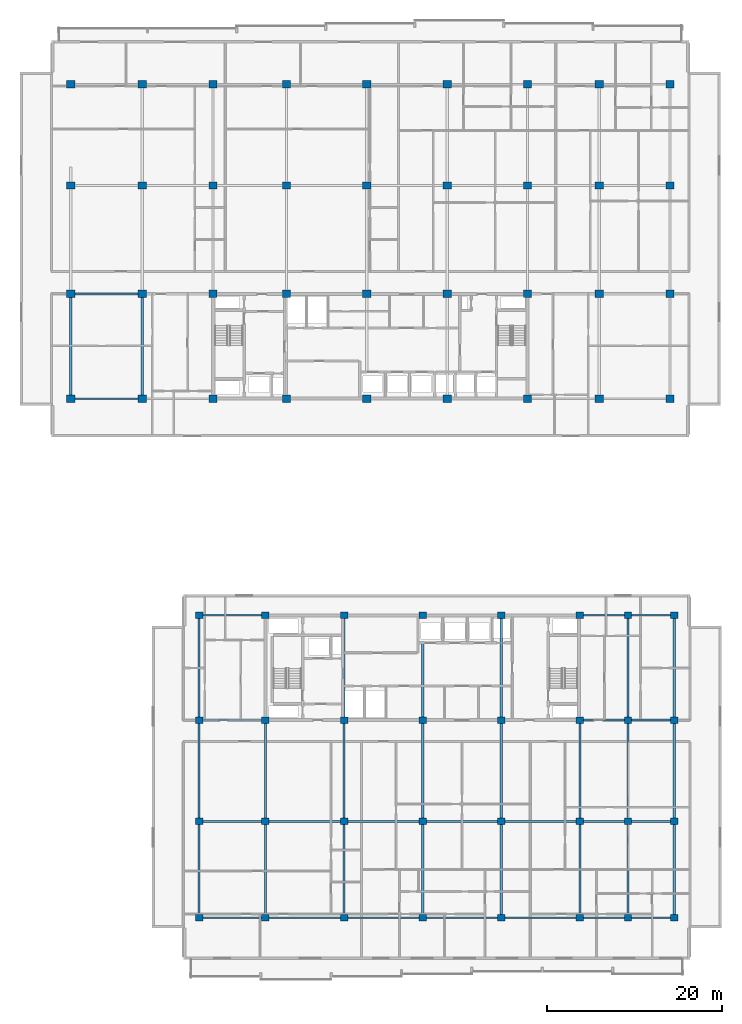
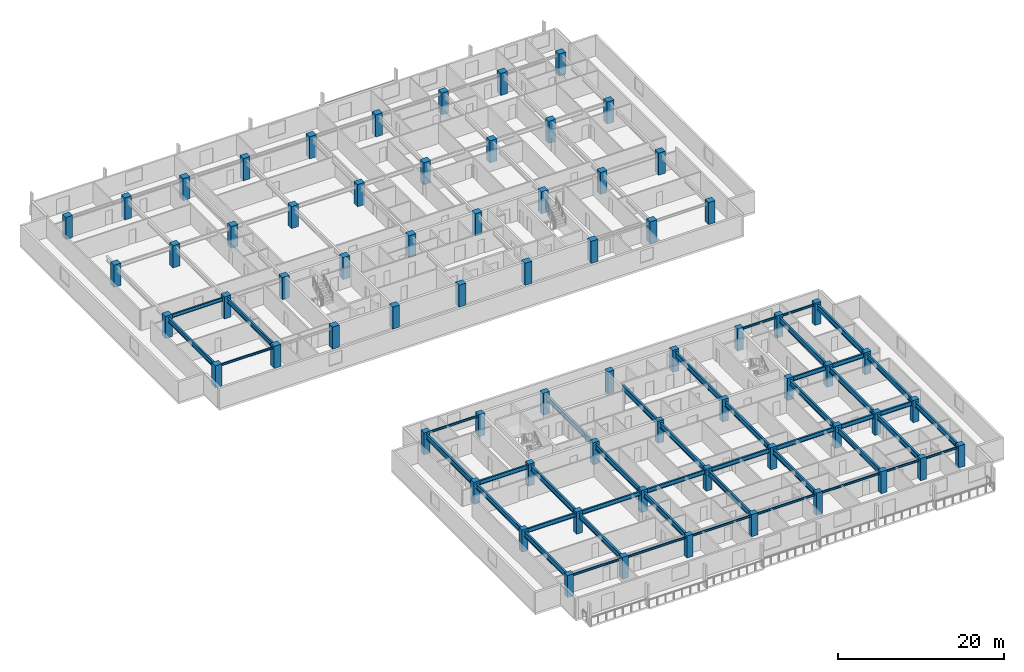
# One storey, part 1 of 21: 68 columns, 46 beams.
"""IFC4 building model written with IfcOpenShell, lengths in metres."""

from ifc_helpers import new_model, si_unit, direction, frame, origin, origin_2d, place, context, subcontext, project, spatial, rectangle, i_section, extrude, material, material_profile, profile_set, type_object, element, save


model = new_model("IFC4")

# Units and contexts
model_context = context("Model", 3, precision=1e-05, world=origin(), true_north=direction((0.0, 1.0)))
body_context = subcontext(model_context, "Body", "Model", "MODEL_VIEW")
ifc_project = project(units=[si_unit("LENGTHUNIT", "METRE"), si_unit("AREAUNIT", "SQUARE_METRE"), si_unit("VOLUMEUNIT", "CUBIC_METRE"), si_unit("PLANEANGLEUNIT", "RADIAN"), si_unit("MASSUNIT", "GRAM", prefix="KILO")], contexts=[model_context])

# Site, building, storey
site_placement = place(None, origin())
site = spatial("IfcSite", under=ifc_project, at=site_placement, CompositionType="ELEMENT")
building_placement = place(site_placement, origin())
building = spatial("IfcBuilding", under=site, at=building_placement, Name="Korimba Cascade Residences", CompositionType="ELEMENT")
storey_placement = place(building_placement, frame((0.0, 0.0, 123.050048828125)))
storey = spatial("IfcBuildingStorey", under=building, at=storey_placement, Name="L35", CompositionType="ELEMENT", Elevation=123.050048828125)

# Columns
ifc_material_1 = material(Name="Concrete C65/80", Category="concrete")
ifc_material_profile_1 = material_profile(ifc_material_1, rectangle(XDim=0.85009765625, YDim=0.75, at=origin_2d()), Name="Concrete C65/80")
ifc_profile_set_1 = profile_set([ifc_material_profile_1], Name="Concrete C65/80")
column_type_1 = type_object("IfcColumnType", Name="COL-RC-850", PredefinedType="COLUMN", material=ifc_profile_set_1)
for number, where, z_axis, x_axis, name in (
    (1, (74.5, -4.199951171875, 0.0), (0.0, 0.0, 1.0), (1.0, 0.0, 0.0), "L35 Tower 2 Column 1.1"),
    (2, (74.5, 6.800048828125, 0.0), (0.0, 0.0, 1.0), (1.0, 0.0, 0.0), "L35 Tower 2 Column 1.2"),
    (3, (74.5, 18.39990234375, 0.0), (0.0, 0.0, 1.0), (1.0, 0.0, 0.0), "L35 Tower 2 Column 1.3"),
    (4, (74.5, 30.39990234375, 0.0), (0.0, 0.0, 1.0), (1.0, 0.0, 0.0), "L35 Tower 2 Column 1.4"),
    (5, (82.10009765625, -4.199951171875, 0.0), (0.0, 0.0, 1.0), (1.0, 0.0, 0.0), "L35 Tower 2 Column 2.1"),
    (6, (82.10009765625, 6.800048828125, 0.0), (0.0, 0.0, 1.0), (1.0, 0.0, 0.0), "L35 Tower 2 Column 2.2"),
    (7, (82.10009765625, 18.39990234375, 0.0), (0.0, 0.0, 1.0), (1.0, 0.0, 0.0), "L35 Tower 2 Column 2.3"),
    (8, (82.10009765625, 30.39990234375, 0.0), (0.0, 0.0, 1.0), (1.0, 0.0, 0.0), "L35 Tower 2 Column 2.4"),
    (9, (91.10009765625, -4.199951171875, 0.0), (0.0, 0.0, 1.0), (1.0, 0.0, 0.0), "L35 Tower 2 Column 3.1"),
    (10, (91.10009765625, 6.800048828125, 0.0), (0.0, 0.0, 1.0), (1.0, 0.0, 0.0), "L35 Tower 2 Column 3.2"),
    (11, (91.10009765625, 18.39990234375, 0.0), (0.0, 0.0, 1.0), (1.0, 0.0, 0.0), "L35 Tower 2 Column 3.3"),
    (12, (91.10009765625, 30.39990234375, 0.0), (0.0, 0.0, 1.0), (1.0, 0.0, 0.0), "L35 Tower 2 Column 3.4"),
    (13, (100.10009765625, -4.199951171875, 0.0), (0.0, 0.0, 1.0), (1.0, 0.0, 0.0), "L35 Tower 2 Column 4.1"),
    (14, (100.10009765625, 6.800048828125, 0.0), (0.0, 0.0, 1.0), (1.0, 0.0, 0.0), "L35 Tower 2 Column 4.2"),
    (15, (100.10009765625, 18.39990234375, 0.0), (0.0, 0.0, 1.0), (1.0, 0.0, 0.0), "L35 Tower 2 Column 4.3"),
    (16, (100.10009765625, 30.39990234375, 0.0), (0.0, 0.0, 1.0), (1.0, 0.0, 0.0), "L35 Tower 2 Column 4.4"),
    (17, (109.10009765625, -4.199951171875, 0.0), (0.0, 0.0, 1.0), (1.0, 0.0, 0.0), "L35 Tower 2 Column 5.1"),
    (18, (109.10009765625, 6.800048828125, 0.0), (0.0, 0.0, 1.0), (1.0, 0.0, 0.0), "L35 Tower 2 Column 5.2"),
    (19, (109.10009765625, 18.39990234375, 0.0), (0.0, 0.0, 1.0), (1.0, 0.0, 0.0), "L35 Tower 2 Column 5.3"),
    (20, (109.10009765625, 30.39990234375, 0.0), (0.0, 0.0, 1.0), (1.0, 0.0, 0.0), "L35 Tower 2 Column 5.4"),
    (21, (118.10009765625, -4.199951171875, 0.0), (0.0, 0.0, 1.0), (1.0, 0.0, 0.0), "L35 Tower 2 Column 6.1"),
    (22, (118.10009765625, 6.800048828125, 0.0), (0.0, 0.0, 1.0), (1.0, 0.0, 0.0), "L35 Tower 2 Column 6.2"),
    (23, (118.10009765625, 18.39990234375, 0.0), (0.0, 0.0, 1.0), (1.0, 0.0, 0.0), "L35 Tower 2 Column 6.3"),
    (24, (118.10009765625, 30.39990234375, 0.0), (0.0, 0.0, 1.0), (1.0, 0.0, 0.0), "L35 Tower 2 Column 6.4"),
    (25, (123.60009765625, -4.199951171875, 0.0), (0.0, 0.0, 1.0), (1.0, 0.0, 0.0), "L35 Tower 2 Column 7.1"),
    (26, (123.60009765625, 6.800048828125, 0.0), (0.0, 0.0, 1.0), (1.0, 0.0, 0.0), "L35 Tower 2 Column 7.2"),
    (27, (123.60009765625, 18.39990234375, 0.0), (0.0, 0.0, 1.0), (1.0, 0.0, 0.0), "L35 Tower 2 Column 7.3"),
    (28, (123.60009765625, 30.39990234375, 0.0), (0.0, 0.0, 1.0), (1.0, 0.0, 0.0), "L35 Tower 2 Column 7.4"),
    (29, (128.89990234375, -4.199951171875, 0.0), (0.0, 0.0, 1.0), (1.0, 0.0, 0.0), "L35 Tower 2 Column 8.1"),
    (30, (128.89990234375, 6.800048828125, 0.0), (0.0, 0.0, 1.0), (1.0, 0.0, 0.0), "L35 Tower 2 Column 8.2"),
    (31, (128.89990234375, 18.39990234375, 0.0), (0.0, 0.0, 1.0), (1.0, 0.0, 0.0), "L35 Tower 2 Column 8.3"),
    (32, (128.89990234375, 30.39990234375, 0.0), (0.0, 0.0, 1.0), (1.0, 0.0, 0.0), "L35 Tower 2 Column 8.4"),
):
    element("IfcColumn", number, at=place(storey_placement, frame(where, z_axis=z_axis, x_axis=x_axis)), inside=storey, type_object=column_type_1, Name=name, PredefinedType="COLUMN", context=body_context, shape_type="SweptSolid", body=[
        extrude(rectangle(XDim=0.85009765625, YDim=0.75, at=origin_2d()), origin(), (0.0, 0.0, 1.0), 3.25),
    ])
ifc_material_profile_2 = material_profile(ifc_material_1, rectangle(XDim=0.949951171875, YDim=0.85009765625, at=origin_2d()), Name="Concrete C65/80")
ifc_profile_set_2 = profile_set([ifc_material_profile_2], Name="Concrete C65/80")
column_type_2 = type_object("IfcColumnType", Name="COL-RC-950", PredefinedType="COLUMN", material=ifc_profile_set_2)
for number, where, z_axis, x_axis, name in (
    (33, (59.800048828125, 55.199951171875, 0.0), (0.0, 0.0, 1.0), (1.0, 0.0, 0.0), "L35 Tower 1 Column 1.1"),
    (34, (59.800048828125, 67.199951171875, 0.0), (0.0, 0.0, 1.0), (1.0, 0.0, 0.0), "L35 Tower 1 Column 1.2"),
    (35, (59.800048828125, 79.60009765625, 0.0), (0.0, 0.0, 1.0), (1.0, 0.0, 0.0), "L35 Tower 1 Column 1.3"),
    (36, (59.800048828125, 91.199951171875, 0.0), (0.0, 0.0, 1.0), (1.0, 0.0, 0.0), "L35 Tower 1 Column 1.4"),
    (37, (68.0, 55.199951171875, 0.0), (0.0, 0.0, 1.0), (1.0, 0.0, 0.0), "L35 Tower 1 Column 2.1"),
    (38, (68.0, 67.199951171875, 0.0), (0.0, 0.0, 1.0), (1.0, 0.0, 0.0), "L35 Tower 1 Column 2.2"),
    (39, (68.0, 79.60009765625, 0.0), (0.0, 0.0, 1.0), (1.0, 0.0, 0.0), "L35 Tower 1 Column 2.3"),
    (40, (68.0, 91.199951171875, 0.0), (0.0, 0.0, 1.0), (1.0, 0.0, 0.0), "L35 Tower 1 Column 2.4"),
    (41, (76.10009765625, 55.199951171875, 0.0), (0.0, 0.0, 1.0), (1.0, 0.0, 0.0), "L35 Tower 1 Column 3.1"),
    (42, (76.10009765625, 67.199951171875, 0.0), (0.0, 0.0, 1.0), (1.0, 0.0, 0.0), "L35 Tower 1 Column 3.2"),
    (43, (76.10009765625, 79.60009765625, 0.0), (0.0, 0.0, 1.0), (1.0, 0.0, 0.0), "L35 Tower 1 Column 3.3"),
    (44, (76.10009765625, 91.199951171875, 0.0), (0.0, 0.0, 1.0), (1.0, 0.0, 0.0), "L35 Tower 1 Column 3.4"),
    (45, (84.5, 55.199951171875, 0.0), (0.0, 0.0, 1.0), (1.0, 0.0, 0.0), "L35 Tower 1 Column 4.1"),
    (46, (84.5, 67.199951171875, 0.0), (0.0, 0.0, 1.0), (1.0, 0.0, 0.0), "L35 Tower 1 Column 4.2"),
    (47, (84.5, 79.60009765625, 0.0), (0.0, 0.0, 1.0), (1.0, 0.0, 0.0), "L35 Tower 1 Column 4.3"),
    (48, (84.5, 91.199951171875, 0.0), (0.0, 0.0, 1.0), (1.0, 0.0, 0.0), "L35 Tower 1 Column 4.4"),
    (49, (93.699951171875, 55.199951171875, 0.0), (0.0, 0.0, 1.0), (1.0, 0.0, 0.0), "L35 Tower 1 Column 5.1"),
    (50, (93.699951171875, 67.199951171875, 0.0), (0.0, 0.0, 1.0), (1.0, 0.0, 0.0), "L35 Tower 1 Column 5.2"),
    (51, (93.699951171875, 79.60009765625, 0.0), (0.0, 0.0, 1.0), (1.0, 0.0, 0.0), "L35 Tower 1 Column 5.3"),
    (52, (93.699951171875, 91.199951171875, 0.0), (0.0, 0.0, 1.0), (1.0, 0.0, 0.0), "L35 Tower 1 Column 5.4"),
    (53, (102.89990234375, 55.199951171875, 0.0), (0.0, 0.0, 1.0), (1.0, 0.0, 0.0), "L35 Tower 1 Column 6.1"),
    (54, (102.89990234375, 67.199951171875, 0.0), (0.0, 0.0, 1.0), (1.0, 0.0, 0.0), "L35 Tower 1 Column 6.2"),
    (55, (102.89990234375, 79.60009765625, 0.0), (0.0, 0.0, 1.0), (1.0, 0.0, 0.0), "L35 Tower 1 Column 6.3"),
    (56, (102.89990234375, 91.199951171875, 0.0), (0.0, 0.0, 1.0), (1.0, 0.0, 0.0), "L35 Tower 1 Column 6.4"),
    (57, (112.10009765625, 55.199951171875, 0.0), (0.0, 0.0, 1.0), (1.0, 0.0, 0.0), "L35 Tower 1 Column 7.1"),
    (58, (112.10009765625, 67.199951171875, 0.0), (0.0, 0.0, 1.0), (1.0, 0.0, 0.0), "L35 Tower 1 Column 7.2"),
    (59, (112.10009765625, 79.60009765625, 0.0), (0.0, 0.0, 1.0), (1.0, 0.0, 0.0), "L35 Tower 1 Column 7.3"),
    (60, (112.10009765625, 91.199951171875, 0.0), (0.0, 0.0, 1.0), (1.0, 0.0, 0.0), "L35 Tower 1 Column 7.4"),
    (61, (120.300048828125, 55.199951171875, 0.0), (0.0, 0.0, 1.0), (1.0, 0.0, 0.0), "L35 Tower 1 Column 8.1"),
    (62, (120.300048828125, 67.199951171875, 0.0), (0.0, 0.0, 1.0), (1.0, 0.0, 0.0), "L35 Tower 1 Column 8.2"),
    (63, (120.300048828125, 79.60009765625, 0.0), (0.0, 0.0, 1.0), (1.0, 0.0, 0.0), "L35 Tower 1 Column 8.3"),
    (64, (120.300048828125, 91.199951171875, 0.0), (0.0, 0.0, 1.0), (1.0, 0.0, 0.0), "L35 Tower 1 Column 8.4"),
    (65, (128.39990234375, 55.199951171875, 0.0), (0.0, 0.0, 1.0), (1.0, 0.0, 0.0), "L35 Tower 1 Column 9.1"),
    (66, (128.39990234375, 67.199951171875, 0.0), (0.0, 0.0, 1.0), (1.0, 0.0, 0.0), "L35 Tower 1 Column 9.2"),
    (67, (128.39990234375, 79.60009765625, 0.0), (0.0, 0.0, 1.0), (1.0, 0.0, 0.0), "L35 Tower 1 Column 9.3"),
    (68, (128.39990234375, 91.199951171875, 0.0), (0.0, 0.0, 1.0), (1.0, 0.0, 0.0), "L35 Tower 1 Column 9.4"),
):
    element("IfcColumn", number, at=place(storey_placement, frame(where, z_axis=z_axis, x_axis=x_axis)), inside=storey, type_object=column_type_2, Name=name, PredefinedType="COLUMN", context=body_context, shape_type="SweptSolid", body=[
        extrude(rectangle(XDim=0.949951171875, YDim=0.85009765625, at=origin_2d()), origin(), (0.0, 0.0, 1.0), 3.25),
    ])

# Beams
ifc_material_2 = material(Name="Steel S355", Category="steel")
ifc_material_profile_3 = material_profile(ifc_material_2, i_section(OverallWidth=0.165771484375, OverallDepth=0.306640625, WebThickness=0.006591796875, FlangeThickness=0.01171875, FilletRadius=0.0087890625, at=origin_2d()), Name="Steel S355")
ifc_profile_set_3 = profile_set([ifc_material_profile_3], Name="Steel S355")
beam_type_1 = type_object("IfcBeamType", Name="BM-STL-UB305", PredefinedType="SPANDREL", material=ifc_profile_set_3)
beam_1_placement = place(storey_placement, frame((60.27490234375, 55.199951171875, 2.816650390625), z_axis=(1.0, 0.0, 0.0), x_axis=(0.0, 1.0, 0.0)))
element("IfcBeam", 69, at=beam_1_placement, inside=storey, type_object=beam_type_1, Name="L35 T1 E-W Girder Y1 Bay 1", PredefinedType="SPANDREL", context=body_context, shape_type="SweptSolid", body=[
    extrude(i_section(OverallWidth=0.165771484375, OverallDepth=0.306640625, WebThickness=0.006591796875, FlangeThickness=0.01171875, FilletRadius=0.0087890625, at=origin_2d()), origin(), (0.0, 0.0, 1.0), 7.25),
])
beam_2_placement = place(storey_placement, frame((74.925048828125, -4.199951171875, 2.816650390625), z_axis=(1.0, 0.0, 0.0), x_axis=(0.0, 1.0, 0.0)))
element("IfcBeam", 70, at=beam_2_placement, inside=storey, type_object=beam_type_1, Name="L35 T2 E-W Girder Y1 Bay 1", PredefinedType="SPANDREL", context=body_context, shape_type="SweptSolid", body=[
    extrude(i_section(OverallWidth=0.165771484375, OverallDepth=0.306640625, WebThickness=0.006591796875, FlangeThickness=0.01171875, FilletRadius=0.0087890625, at=origin_2d()), origin(), (0.0, 0.0, 1.0), 6.75),
])
for number, where, z_axis, x_axis, name in (
    (71, (82.52490234375, -4.199951171875, 2.816650390625), (1.0, 0.0, 0.0), (0.0, 1.0, 0.0), "L35 T2 E-W Girder Y1 Bay 2"),
    (72, (91.52490234375, -4.199951171875, 2.816650390625), (1.0, 0.0, 0.0), (0.0, 1.0, 0.0), "L35 T2 E-W Girder Y1 Bay 3"),
    (73, (100.52490234375, -4.199951171875, 2.816650390625), (1.0, 0.0, 0.0), (0.0, 1.0, 0.0), "L35 T2 E-W Girder Y1 Bay 4"),
    (74, (109.52490234375, -4.199951171875, 2.816650390625), (1.0, 0.0, 0.0), (0.0, 1.0, 0.0), "L35 T2 E-W Girder Y1 Bay 5"),
):
    element("IfcBeam", number, at=place(storey_placement, frame(where, z_axis=z_axis, x_axis=x_axis)), inside=storey, type_object=beam_type_1, Name=name, PredefinedType="SPANDREL", context=body_context, shape_type="SweptSolid", body=[
        extrude(i_section(OverallWidth=0.165771484375, OverallDepth=0.306640625, WebThickness=0.006591796875, FlangeThickness=0.01171875, FilletRadius=0.0087890625, at=origin_2d()), origin(), (0.0, 0.0, 1.0), 8.150146484375),
    ])
beam_3_placement = place(storey_placement, frame((118.52490234375, -4.199951171875, 2.816650390625), z_axis=(1.0, 0.0, 0.0), x_axis=(0.0, 1.0, 0.0)))
element("IfcBeam", 75, at=beam_3_placement, inside=storey, type_object=beam_type_1, Name="L35 T2 E-W Girder Y1 Bay 6", PredefinedType="SPANDREL", context=body_context, shape_type="SweptSolid", body=[
    extrude(i_section(OverallWidth=0.165771484375, OverallDepth=0.306640625, WebThickness=0.006591796875, FlangeThickness=0.01171875, FilletRadius=0.0087890625, at=origin_2d()), origin(), (0.0, 0.0, 1.0), 4.650146484375),
])
beam_4_placement = place(storey_placement, frame((124.02490234375, -4.199951171875, 2.816650390625), z_axis=(1.0, 0.0, 0.0), x_axis=(0.0, 1.0, 0.0)))
element("IfcBeam", 76, at=beam_4_placement, inside=storey, type_object=beam_type_1, Name="L35 T2 E-W Girder Y1 Bay 7", PredefinedType="SPANDREL", context=body_context, shape_type="SweptSolid", body=[
    extrude(i_section(OverallWidth=0.165771484375, OverallDepth=0.306640625, WebThickness=0.006591796875, FlangeThickness=0.01171875, FilletRadius=0.0087890625, at=origin_2d()), origin(), (0.0, 0.0, 1.0), 4.4501953125),
])
beam_5_placement = place(storey_placement, frame((74.925048828125, 30.39990234375, 2.816650390625), z_axis=(1.0, 0.0, 0.0), x_axis=(0.0, 1.0, 0.0)))
element("IfcBeam", 77, at=beam_5_placement, inside=storey, type_object=beam_type_1, Name="L35 T2 E-W Girder Y4 Bay 1", PredefinedType="SPANDREL", context=body_context, shape_type="SweptSolid", body=[
    extrude(i_section(OverallWidth=0.165771484375, OverallDepth=0.306640625, WebThickness=0.006591796875, FlangeThickness=0.01171875, FilletRadius=0.0087890625, at=origin_2d()), origin(), (0.0, 0.0, 1.0), 6.75),
])
beam_6_placement = place(storey_placement, frame((118.52490234375, 30.39990234375, 2.816650390625), z_axis=(1.0, 0.0, 0.0), x_axis=(0.0, 1.0, 0.0)))
element("IfcBeam", 78, at=beam_6_placement, inside=storey, type_object=beam_type_1, Name="L35 T2 E-W Girder Y4 Bay 6", PredefinedType="SPANDREL", context=body_context, shape_type="SweptSolid", body=[
    extrude(i_section(OverallWidth=0.165771484375, OverallDepth=0.306640625, WebThickness=0.006591796875, FlangeThickness=0.01171875, FilletRadius=0.0087890625, at=origin_2d()), origin(), (0.0, 0.0, 1.0), 4.650146484375),
])
beam_7_placement = place(storey_placement, frame((124.02490234375, 30.39990234375, 2.816650390625), z_axis=(1.0, 0.0, 0.0), x_axis=(0.0, 1.0, 0.0)))
element("IfcBeam", 79, at=beam_7_placement, inside=storey, type_object=beam_type_1, Name="L35 T2 E-W Girder Y4 Bay 7", PredefinedType="SPANDREL", context=body_context, shape_type="SweptSolid", body=[
    extrude(i_section(OverallWidth=0.165771484375, OverallDepth=0.306640625, WebThickness=0.006591796875, FlangeThickness=0.01171875, FilletRadius=0.0087890625, at=origin_2d()), origin(), (0.0, 0.0, 1.0), 4.4501953125),
])
ifc_material_profile_4 = material_profile(ifc_material_2, i_section(OverallWidth=0.2099609375, OverallDepth=0.53662109375, WebThickness=0.0107421875, FlangeThickness=0.017333984375, FilletRadius=0.0126953125, at=origin_2d()), Name="Steel S355")
ifc_profile_set_4 = profile_set([ifc_material_profile_4], Name="Steel S355")
beam_type_2 = type_object("IfcBeamType", Name="BM-STL-UB533", PredefinedType="BEAM", material=ifc_profile_set_4)
beam_8_placement = place(storey_placement, frame((60.27490234375, 67.199951171875, 2.70166015625), z_axis=(1.0, 0.0, 0.0), x_axis=(0.0, 1.0, 0.0)))
element("IfcBeam", 80, at=beam_8_placement, inside=storey, type_object=beam_type_2, Name="L35 T1 E-W Girder Y2 Bay 1", PredefinedType="BEAM", context=body_context, shape_type="SweptSolid", body=[
    extrude(i_section(OverallWidth=0.2099609375, OverallDepth=0.53662109375, WebThickness=0.0107421875, FlangeThickness=0.017333984375, FilletRadius=0.0126953125, at=origin_2d()), origin(), (0.0, 0.0, 1.0), 7.25),
])
ifc_material_profile_5 = material_profile(ifc_material_2, i_section(OverallWidth=0.22900390625, OverallDepth=0.6123046875, WebThickness=0.011962890625, FlangeThickness=0.01953125, FilletRadius=0.0126953125, at=origin_2d()), Name="Steel S355")
ifc_profile_set_5 = profile_set([ifc_material_profile_5], Name="Steel S355")
beam_type_3 = type_object("IfcBeamType", Name="BM-STL-UB610B", PredefinedType="BEAM", material=ifc_profile_set_5)
beam_9_placement = place(storey_placement, frame((74.925048828125, 6.800048828125, 2.663818359375), z_axis=(1.0, 0.0, 0.0), x_axis=(0.0, 1.0, 0.0)))
element("IfcBeam", 81, at=beam_9_placement, inside=storey, type_object=beam_type_3, Name="L35 T2 E-W Girder Y2 Bay 1", PredefinedType="BEAM", context=body_context, shape_type="SweptSolid", body=[
    extrude(i_section(OverallWidth=0.22900390625, OverallDepth=0.6123046875, WebThickness=0.011962890625, FlangeThickness=0.01953125, FilletRadius=0.0126953125, at=origin_2d()), origin(), (0.0, 0.0, 1.0), 6.75),
])
for number, where, z_axis, x_axis, name in (
    (82, (82.52490234375, 6.800048828125, 2.663818359375), (1.0, 0.0, 0.0), (0.0, 1.0, 0.0), "L35 T2 E-W Girder Y2 Bay 2"),
    (83, (91.52490234375, 6.800048828125, 2.663818359375), (1.0, 0.0, 0.0), (0.0, 1.0, 0.0), "L35 T2 E-W Girder Y2 Bay 3"),
    (84, (100.52490234375, 6.800048828125, 2.663818359375), (1.0, 0.0, 0.0), (0.0, 1.0, 0.0), "L35 T2 E-W Girder Y2 Bay 4"),
    (85, (109.52490234375, 6.800048828125, 2.663818359375), (1.0, 0.0, 0.0), (0.0, 1.0, 0.0), "L35 T2 E-W Girder Y2 Bay 5"),
):
    element("IfcBeam", number, at=place(storey_placement, frame(where, z_axis=z_axis, x_axis=x_axis)), inside=storey, type_object=beam_type_3, Name=name, PredefinedType="BEAM", context=body_context, shape_type="SweptSolid", body=[
        extrude(i_section(OverallWidth=0.22900390625, OverallDepth=0.6123046875, WebThickness=0.011962890625, FlangeThickness=0.01953125, FilletRadius=0.0126953125, at=origin_2d()), origin(), (0.0, 0.0, 1.0), 8.150146484375),
    ])
beam_10_placement = place(storey_placement, frame((118.52490234375, 6.800048828125, 2.663818359375), z_axis=(1.0, 0.0, 0.0), x_axis=(0.0, 1.0, 0.0)))
element("IfcBeam", 86, at=beam_10_placement, inside=storey, type_object=beam_type_3, Name="L35 T2 E-W Girder Y2 Bay 6", PredefinedType="BEAM", context=body_context, shape_type="SweptSolid", body=[
    extrude(i_section(OverallWidth=0.22900390625, OverallDepth=0.6123046875, WebThickness=0.011962890625, FlangeThickness=0.01953125, FilletRadius=0.0126953125, at=origin_2d()), origin(), (0.0, 0.0, 1.0), 4.650146484375),
])
beam_11_placement = place(storey_placement, frame((124.02490234375, 6.800048828125, 2.663818359375), z_axis=(1.0, 0.0, 0.0), x_axis=(0.0, 1.0, 0.0)))
element("IfcBeam", 87, at=beam_11_placement, inside=storey, type_object=beam_type_3, Name="L35 T2 E-W Girder Y2 Bay 7", PredefinedType="BEAM", context=body_context, shape_type="SweptSolid", body=[
    extrude(i_section(OverallWidth=0.22900390625, OverallDepth=0.6123046875, WebThickness=0.011962890625, FlangeThickness=0.01953125, FilletRadius=0.0126953125, at=origin_2d()), origin(), (0.0, 0.0, 1.0), 4.4501953125),
])
beam_12_placement = place(storey_placement, frame((74.925048828125, 18.39990234375, 2.663818359375), z_axis=(1.0, 0.0, 0.0), x_axis=(0.0, 1.0, 0.0)))
element("IfcBeam", 88, at=beam_12_placement, inside=storey, type_object=beam_type_3, Name="L35 T2 E-W Girder Y3 Bay 1", PredefinedType="BEAM", context=body_context, shape_type="SweptSolid", body=[
    extrude(i_section(OverallWidth=0.22900390625, OverallDepth=0.6123046875, WebThickness=0.011962890625, FlangeThickness=0.01953125, FilletRadius=0.0126953125, at=origin_2d()), origin(), (0.0, 0.0, 1.0), 6.75),
])
beam_13_placement = place(storey_placement, frame((118.52490234375, 18.39990234375, 2.663818359375), z_axis=(1.0, 0.0, 0.0), x_axis=(0.0, 1.0, 0.0)))
element("IfcBeam", 89, at=beam_13_placement, inside=storey, type_object=beam_type_3, Name="L35 T2 E-W Girder Y3 Bay 6", PredefinedType="BEAM", context=body_context, shape_type="SweptSolid", body=[
    extrude(i_section(OverallWidth=0.22900390625, OverallDepth=0.6123046875, WebThickness=0.011962890625, FlangeThickness=0.01953125, FilletRadius=0.0126953125, at=origin_2d()), origin(), (0.0, 0.0, 1.0), 4.650146484375),
])
beam_14_placement = place(storey_placement, frame((124.02490234375, 18.39990234375, 2.663818359375), z_axis=(1.0, 0.0, 0.0), x_axis=(0.0, 1.0, 0.0)))
element("IfcBeam", 90, at=beam_14_placement, inside=storey, type_object=beam_type_3, Name="L35 T2 E-W Girder Y3 Bay 7", PredefinedType="BEAM", context=body_context, shape_type="SweptSolid", body=[
    extrude(i_section(OverallWidth=0.22900390625, OverallDepth=0.6123046875, WebThickness=0.011962890625, FlangeThickness=0.01953125, FilletRadius=0.0126953125, at=origin_2d()), origin(), (0.0, 0.0, 1.0), 4.4501953125),
])
ifc_material_profile_6 = material_profile(ifc_material_2, i_section(OverallWidth=0.255859375, OverallDepth=0.69287109375, WebThickness=0.014404296875, FlangeThickness=0.023681640625, FilletRadius=0.01513671875, at=origin_2d()), Name="Steel S355")
ifc_profile_set_6 = profile_set([ifc_material_profile_6], Name="Steel S355")
beam_type_4 = type_object("IfcBeamType", Name="BM-STL-UB686", PredefinedType="BEAM", material=ifc_profile_set_6)
for number, where, z_axis, x_axis, name in (
    (91, (59.800048828125, 55.625, 2.62353515625), (0.0, 1.0, 0.0), (-1.0, 0.0, 0.0), "L35 T1 N-S Girder X1 Seg 1"),
    (92, (68.0, 55.625, 2.62353515625), (0.0, 1.0, 0.0), (-1.0, 0.0, 0.0), "L35 T1 N-S Girder X2 Seg 1"),
):
    element("IfcBeam", number, at=place(storey_placement, frame(where, z_axis=z_axis, x_axis=x_axis)), inside=storey, type_object=beam_type_4, Name=name, PredefinedType="BEAM", context=body_context, shape_type="SweptSolid", body=[
        extrude(i_section(OverallWidth=0.255859375, OverallDepth=0.69287109375, WebThickness=0.014404296875, FlangeThickness=0.023681640625, FilletRadius=0.01513671875, at=origin_2d()), origin(), (0.0, 0.0, 1.0), 11.14990234375),
    ])
ifc_material_profile_7 = material_profile(ifc_material_2, i_section(OverallWidth=0.26806640625, OverallDepth=0.769775390625, WebThickness=0.015625, FlangeThickness=0.025390625, FilletRadius=0.0166015625, at=origin_2d()), Name="Steel S355")
ifc_profile_set_7 = profile_set([ifc_material_profile_7], Name="Steel S355")
beam_type_5 = type_object("IfcBeamType", Name="BM-STL-UB762", PredefinedType="BEAM", material=ifc_profile_set_7)
beam_15_placement = place(storey_placement, frame((74.5, -3.824951171875, 2.5849609375), z_axis=(0.0, 1.0, 0.0), x_axis=(-1.0, 0.0, 0.0)))
element("IfcBeam", 93, at=beam_15_placement, inside=storey, type_object=beam_type_5, Name="L35 T2 N-S Girder X1 Seg 1", PredefinedType="BEAM", context=body_context, shape_type="SweptSolid", body=[
    extrude(i_section(OverallWidth=0.26806640625, OverallDepth=0.769775390625, WebThickness=0.015625, FlangeThickness=0.025390625, FilletRadius=0.0166015625, at=origin_2d()), origin(), (0.0, 0.0, 1.0), 10.25),
])
beam_16_placement = place(storey_placement, frame((74.5, 7.175048828125, 2.5849609375), z_axis=(0.0, 1.0, 0.0), x_axis=(-1.0, 0.0, 0.0)))
element("IfcBeam", 94, at=beam_16_placement, inside=storey, type_object=beam_type_5, Name="L35 T2 N-S Girder X1 Seg 2", PredefinedType="BEAM", context=body_context, shape_type="SweptSolid", body=[
    extrude(i_section(OverallWidth=0.26806640625, OverallDepth=0.769775390625, WebThickness=0.015625, FlangeThickness=0.025390625, FilletRadius=0.0166015625, at=origin_2d()), origin(), (0.0, 0.0, 1.0), 10.849853515625),
])
beam_17_placement = place(storey_placement, frame((74.5, 18.77490234375, 2.5849609375), z_axis=(0.0, 1.0, 0.0), x_axis=(-1.0, 0.0, 0.0)))
element("IfcBeam", 95, at=beam_17_placement, inside=storey, type_object=beam_type_5, Name="L35 T2 N-S Girder X1 Seg 3", PredefinedType="BEAM", context=body_context, shape_type="SweptSolid", body=[
    extrude(i_section(OverallWidth=0.26806640625, OverallDepth=0.769775390625, WebThickness=0.015625, FlangeThickness=0.025390625, FilletRadius=0.0166015625, at=origin_2d()), origin(), (0.0, 0.0, 1.0), 11.25),
])
beam_18_placement = place(storey_placement, frame((82.10009765625, -3.824951171875, 2.5849609375), z_axis=(0.0, 1.0, 0.0), x_axis=(-1.0, 0.0, 0.0)))
element("IfcBeam", 96, at=beam_18_placement, inside=storey, type_object=beam_type_5, Name="L35 T2 N-S Girder X2 Seg 1", PredefinedType="BEAM", context=body_context, shape_type="SweptSolid", body=[
    extrude(i_section(OverallWidth=0.26806640625, OverallDepth=0.769775390625, WebThickness=0.015625, FlangeThickness=0.025390625, FilletRadius=0.0166015625, at=origin_2d()), origin(), (0.0, 0.0, 1.0), 10.25),
])
beam_19_placement = place(storey_placement, frame((82.10009765625, 7.175048828125, 2.5849609375), z_axis=(0.0, 1.0, 0.0), x_axis=(-1.0, 0.0, 0.0)))
element("IfcBeam", 97, at=beam_19_placement, inside=storey, type_object=beam_type_5, Name="L35 T2 N-S Girder X2 Seg 2", PredefinedType="BEAM", context=body_context, shape_type="SweptSolid", body=[
    extrude(i_section(OverallWidth=0.26806640625, OverallDepth=0.769775390625, WebThickness=0.015625, FlangeThickness=0.025390625, FilletRadius=0.0166015625, at=origin_2d()), origin(), (0.0, 0.0, 1.0), 10.849853515625),
])
beam_20_placement = place(storey_placement, frame((91.10009765625, -3.824951171875, 2.5849609375), z_axis=(0.0, 1.0, 0.0), x_axis=(-1.0, 0.0, 0.0)))
element("IfcBeam", 98, at=beam_20_placement, inside=storey, type_object=beam_type_5, Name="L35 T2 N-S Girder X3 Seg 1", PredefinedType="BEAM", context=body_context, shape_type="SweptSolid", body=[
    extrude(i_section(OverallWidth=0.26806640625, OverallDepth=0.769775390625, WebThickness=0.015625, FlangeThickness=0.025390625, FilletRadius=0.0166015625, at=origin_2d()), origin(), (0.0, 0.0, 1.0), 10.25),
])
beam_21_placement = place(storey_placement, frame((91.10009765625, 7.175048828125, 2.5849609375), z_axis=(0.0, 1.0, 0.0), x_axis=(-1.0, 0.0, 0.0)))
element("IfcBeam", 99, at=beam_21_placement, inside=storey, type_object=beam_type_5, Name="L35 T2 N-S Girder X3 Seg 2", PredefinedType="BEAM", context=body_context, shape_type="SweptSolid", body=[
    extrude(i_section(OverallWidth=0.26806640625, OverallDepth=0.769775390625, WebThickness=0.015625, FlangeThickness=0.025390625, FilletRadius=0.0166015625, at=origin_2d()), origin(), (0.0, 0.0, 1.0), 10.849853515625),
])
beam_22_placement = place(storey_placement, frame((91.10009765625, 18.77490234375, 2.5849609375), z_axis=(0.0, 1.0, 0.0), x_axis=(-1.0, 0.0, 0.0)))
element("IfcBeam", 100, at=beam_22_placement, inside=storey, type_object=beam_type_5, Name="L35 T2 N-S Girder X3 Seg 3", PredefinedType="BEAM", context=body_context, shape_type="SweptSolid", body=[
    extrude(i_section(OverallWidth=0.26806640625, OverallDepth=0.769775390625, WebThickness=0.015625, FlangeThickness=0.025390625, FilletRadius=0.0166015625, at=origin_2d()), origin(), (0.0, 0.0, 1.0), 11.25),
])
beam_23_placement = place(storey_placement, frame((100.10009765625, -3.824951171875, 2.5849609375), z_axis=(0.0, 1.0, 0.0), x_axis=(-1.0, 0.0, 0.0)))
element("IfcBeam", 101, at=beam_23_placement, inside=storey, type_object=beam_type_5, Name="L35 T2 N-S Girder X4 Seg 1", PredefinedType="BEAM", context=body_context, shape_type="SweptSolid", body=[
    extrude(i_section(OverallWidth=0.26806640625, OverallDepth=0.769775390625, WebThickness=0.015625, FlangeThickness=0.025390625, FilletRadius=0.0166015625, at=origin_2d()), origin(), (0.0, 0.0, 1.0), 10.25),
])
beam_24_placement = place(storey_placement, frame((100.10009765625, 7.175048828125, 2.5849609375), z_axis=(0.0, 1.0, 0.0), x_axis=(-1.0, 0.0, 0.0)))
element("IfcBeam", 102, at=beam_24_placement, inside=storey, type_object=beam_type_5, Name="L35 T2 N-S Girder X4 Seg 2", PredefinedType="BEAM", context=body_context, shape_type="SweptSolid", body=[
    extrude(i_section(OverallWidth=0.26806640625, OverallDepth=0.769775390625, WebThickness=0.015625, FlangeThickness=0.025390625, FilletRadius=0.0166015625, at=origin_2d()), origin(), (0.0, 0.0, 1.0), 10.849853515625),
])
beam_25_placement = place(storey_placement, frame((100.10009765625, 18.77490234375, 2.5849609375), z_axis=(0.0, 1.0, 0.0), x_axis=(-1.0, 0.0, 0.0)))
element("IfcBeam", 103, at=beam_25_placement, inside=storey, type_object=beam_type_5, Name="L35 T2 N-S Girder X4 Seg 3", PredefinedType="BEAM", context=body_context, shape_type="SweptSolid", body=[
    extrude(i_section(OverallWidth=0.26806640625, OverallDepth=0.769775390625, WebThickness=0.015625, FlangeThickness=0.025390625, FilletRadius=0.0166015625, at=origin_2d()), origin(), (0.0, 0.0, 1.0), 8.565185546875),
])
beam_26_placement = place(storey_placement, frame((109.10009765625, -3.824951171875, 2.5849609375), z_axis=(0.0, 1.0, 0.0), x_axis=(-1.0, 0.0, 0.0)))
element("IfcBeam", 104, at=beam_26_placement, inside=storey, type_object=beam_type_5, Name="L35 T2 N-S Girder X5 Seg 1", PredefinedType="BEAM", context=body_context, shape_type="SweptSolid", body=[
    extrude(i_section(OverallWidth=0.26806640625, OverallDepth=0.769775390625, WebThickness=0.015625, FlangeThickness=0.025390625, FilletRadius=0.0166015625, at=origin_2d()), origin(), (0.0, 0.0, 1.0), 10.25),
])
beam_27_placement = place(storey_placement, frame((109.10009765625, 7.175048828125, 2.5849609375), z_axis=(0.0, 1.0, 0.0), x_axis=(-1.0, 0.0, 0.0)))
element("IfcBeam", 105, at=beam_27_placement, inside=storey, type_object=beam_type_5, Name="L35 T2 N-S Girder X5 Seg 2", PredefinedType="BEAM", context=body_context, shape_type="SweptSolid", body=[
    extrude(i_section(OverallWidth=0.26806640625, OverallDepth=0.769775390625, WebThickness=0.015625, FlangeThickness=0.025390625, FilletRadius=0.0166015625, at=origin_2d()), origin(), (0.0, 0.0, 1.0), 10.849853515625),
])
beam_28_placement = place(storey_placement, frame((109.10009765625, 18.77490234375, 2.5849609375), z_axis=(0.0, 1.0, 0.0), x_axis=(-1.0, 0.0, 0.0)))
element("IfcBeam", 106, at=beam_28_placement, inside=storey, type_object=beam_type_5, Name="L35 T2 N-S Girder X5 Seg 3", PredefinedType="BEAM", context=body_context, shape_type="SweptSolid", body=[
    extrude(i_section(OverallWidth=0.26806640625, OverallDepth=0.769775390625, WebThickness=0.015625, FlangeThickness=0.025390625, FilletRadius=0.0166015625, at=origin_2d()), origin(), (0.0, 0.0, 1.0), 11.25),
])
beam_29_placement = place(storey_placement, frame((118.10009765625, -3.824951171875, 2.5849609375), z_axis=(0.0, 1.0, 0.0), x_axis=(-1.0, 0.0, 0.0)))
element("IfcBeam", 107, at=beam_29_placement, inside=storey, type_object=beam_type_5, Name="L35 T2 N-S Girder X6 Seg 1", PredefinedType="BEAM", context=body_context, shape_type="SweptSolid", body=[
    extrude(i_section(OverallWidth=0.26806640625, OverallDepth=0.769775390625, WebThickness=0.015625, FlangeThickness=0.025390625, FilletRadius=0.0166015625, at=origin_2d()), origin(), (0.0, 0.0, 1.0), 10.25),
])
beam_30_placement = place(storey_placement, frame((118.10009765625, 7.175048828125, 2.5849609375), z_axis=(0.0, 1.0, 0.0), x_axis=(-1.0, 0.0, 0.0)))
element("IfcBeam", 108, at=beam_30_placement, inside=storey, type_object=beam_type_5, Name="L35 T2 N-S Girder X6 Seg 2", PredefinedType="BEAM", context=body_context, shape_type="SweptSolid", body=[
    extrude(i_section(OverallWidth=0.26806640625, OverallDepth=0.769775390625, WebThickness=0.015625, FlangeThickness=0.025390625, FilletRadius=0.0166015625, at=origin_2d()), origin(), (0.0, 0.0, 1.0), 10.849853515625),
])
beam_31_placement = place(storey_placement, frame((123.60009765625, -3.824951171875, 2.5849609375), z_axis=(0.0, 1.0, 0.0), x_axis=(-1.0, 0.0, 0.0)))
element("IfcBeam", 109, at=beam_31_placement, inside=storey, type_object=beam_type_5, Name="L35 T2 N-S Girder X7 Seg 1", PredefinedType="BEAM", context=body_context, shape_type="SweptSolid", body=[
    extrude(i_section(OverallWidth=0.26806640625, OverallDepth=0.769775390625, WebThickness=0.015625, FlangeThickness=0.025390625, FilletRadius=0.0166015625, at=origin_2d()), origin(), (0.0, 0.0, 1.0), 10.25),
])
beam_32_placement = place(storey_placement, frame((123.60009765625, 7.175048828125, 2.5849609375), z_axis=(0.0, 1.0, 0.0), x_axis=(-1.0, 0.0, 0.0)))
element("IfcBeam", 110, at=beam_32_placement, inside=storey, type_object=beam_type_5, Name="L35 T2 N-S Girder X7 Seg 2", PredefinedType="BEAM", context=body_context, shape_type="SweptSolid", body=[
    extrude(i_section(OverallWidth=0.26806640625, OverallDepth=0.769775390625, WebThickness=0.015625, FlangeThickness=0.025390625, FilletRadius=0.0166015625, at=origin_2d()), origin(), (0.0, 0.0, 1.0), 10.849853515625),
])
beam_33_placement = place(storey_placement, frame((123.60009765625, 18.77490234375, 2.5849609375), z_axis=(0.0, 1.0, 0.0), x_axis=(-1.0, 0.0, 0.0)))
element("IfcBeam", 111, at=beam_33_placement, inside=storey, type_object=beam_type_5, Name="L35 T2 N-S Girder X7 Seg 3", PredefinedType="BEAM", context=body_context, shape_type="SweptSolid", body=[
    extrude(i_section(OverallWidth=0.26806640625, OverallDepth=0.769775390625, WebThickness=0.015625, FlangeThickness=0.025390625, FilletRadius=0.0166015625, at=origin_2d()), origin(), (0.0, 0.0, 1.0), 11.25),
])
beam_34_placement = place(storey_placement, frame((128.89990234375, -3.824951171875, 2.5849609375), z_axis=(0.0, 1.0, 0.0), x_axis=(-1.0, 0.0, 0.0)))
element("IfcBeam", 112, at=beam_34_placement, inside=storey, type_object=beam_type_5, Name="L35 T2 N-S Girder X8 Seg 1", PredefinedType="BEAM", context=body_context, shape_type="SweptSolid", body=[
    extrude(i_section(OverallWidth=0.26806640625, OverallDepth=0.769775390625, WebThickness=0.015625, FlangeThickness=0.025390625, FilletRadius=0.0166015625, at=origin_2d()), origin(), (0.0, 0.0, 1.0), 10.25),
])
beam_35_placement = place(storey_placement, frame((128.89990234375, 7.175048828125, 2.5849609375), z_axis=(0.0, 1.0, 0.0), x_axis=(-1.0, 0.0, 0.0)))
element("IfcBeam", 113, at=beam_35_placement, inside=storey, type_object=beam_type_5, Name="L35 T2 N-S Girder X8 Seg 2", PredefinedType="BEAM", context=body_context, shape_type="SweptSolid", body=[
    extrude(i_section(OverallWidth=0.26806640625, OverallDepth=0.769775390625, WebThickness=0.015625, FlangeThickness=0.025390625, FilletRadius=0.0166015625, at=origin_2d()), origin(), (0.0, 0.0, 1.0), 10.849853515625),
])
beam_36_placement = place(storey_placement, frame((128.89990234375, 18.77490234375, 2.5849609375), z_axis=(0.0, 1.0, 0.0), x_axis=(-1.0, 0.0, 0.0)))
element("IfcBeam", 114, at=beam_36_placement, inside=storey, type_object=beam_type_5, Name="L35 T2 N-S Girder X8 Seg 3", PredefinedType="BEAM", context=body_context, shape_type="SweptSolid", body=[
    extrude(i_section(OverallWidth=0.26806640625, OverallDepth=0.769775390625, WebThickness=0.015625, FlangeThickness=0.025390625, FilletRadius=0.0166015625, at=origin_2d()), origin(), (0.0, 0.0, 1.0), 11.25),
])

save(model, "model.ifc")
